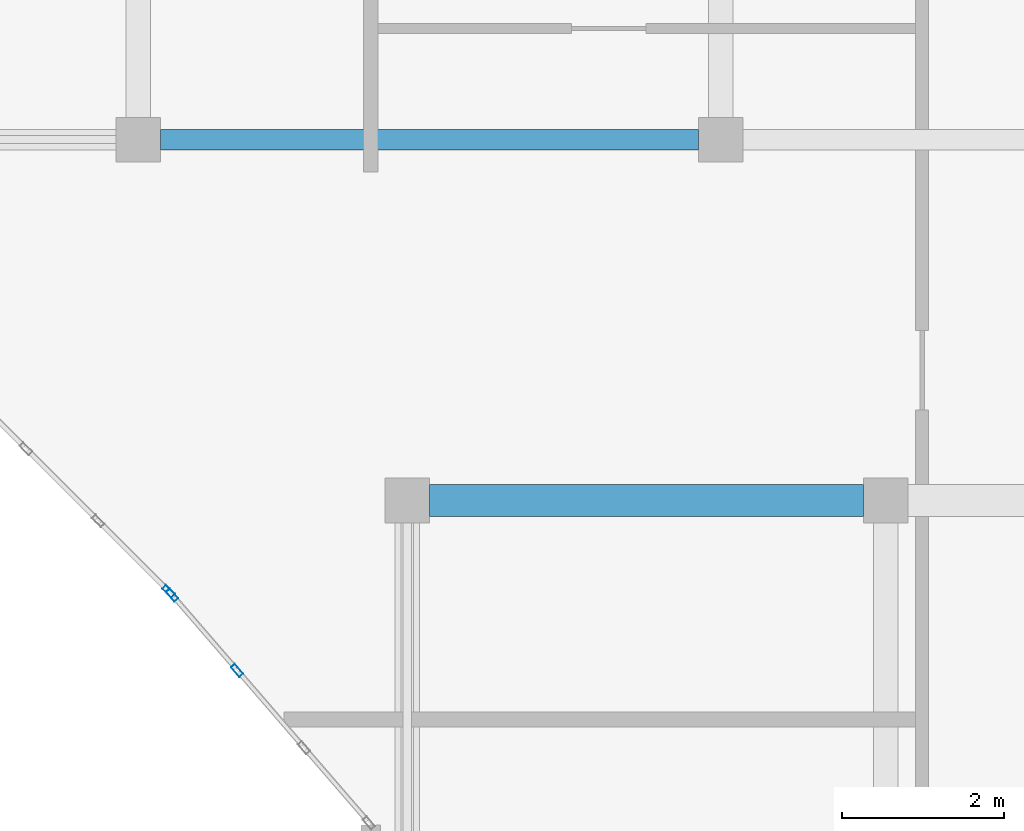
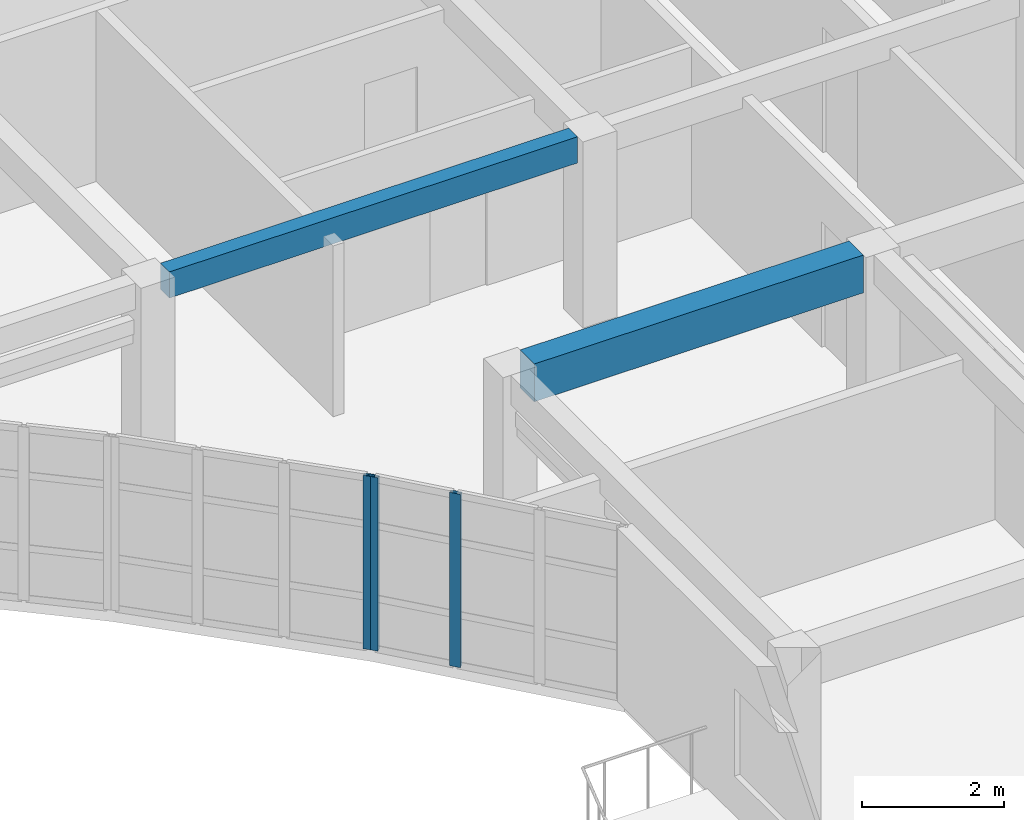
# One storey, part 13 of 68: 3 members, 2 beams, 2 elements without a shape of their own.
"""IFC4 building model written with IfcOpenShell, lengths in metres."""

from ifc_helpers import new_model, si_unit, direction, frame, origin, origin_2d, place, context, subcontext, project, spatial, rectangle, hollow_rectangle, extrude, material, layer, layer_set, material_profile, profile_set, type_object, element, aggregate, save


model = new_model("IFC4")

# Units and contexts
model_context = context("Model", 3, precision=1e-05, world=origin(), true_north=direction((0.0, 1.0)))
body_context = subcontext(model_context, "Body", "Model", "MODEL_VIEW")
ifc_project = project(units=[si_unit("LENGTHUNIT", "METRE"), si_unit("AREAUNIT", "SQUARE_METRE"), si_unit("VOLUMEUNIT", "CUBIC_METRE"), si_unit("PLANEANGLEUNIT", "RADIAN"), si_unit("MASSUNIT", "GRAM", prefix="KILO")], contexts=[model_context])

# Site, building, storey
site_placement = place(None, origin())
site = spatial("IfcSite", under=ifc_project, at=site_placement, CompositionType="ELEMENT")
building_placement = place(site_placement, origin())
building = spatial("IfcBuilding", under=site, at=building_placement, Name="Keldmere Railside Commons", CompositionType="ELEMENT")
storey_placement = place(building_placement, frame((0.0, 0.0, 23.360107421875)))
storey = spatial("IfcBuildingStorey", under=building, at=storey_placement, Name="L07", CompositionType="ELEMENT", Elevation=23.360107421875)

# Beams
ifc_material_1 = material(Name="Architectural Precast Concrete H-35 (C35/45)", Category="concrete")
ifc_material_profile_1 = material_profile(ifc_material_1, rectangle(XDim=0.25, YDim=0.449951171875, at=origin_2d()), Name="RC-250x450")
ifc_profile_set_1 = profile_set([ifc_material_profile_1], Name="Architectural Precast Concrete H-35 (C35/45)")
beam_type_1 = type_object("IfcBeamType", Name="Perimeter Precast Spandrel Beam 250x450", PredefinedType="SPANDREL", material=ifc_profile_set_1)
beam_1_placement = place(storey_placement, frame((101.407958984375, 100.449951171875, 2.974853515625), z_axis=(1.0, 0.0, 0.0), x_axis=(0.0, 1.0, 0.0)))
element("IfcBeam", 1, at=beam_1_placement, inside=storey, type_object=beam_type_1, Name="SPB-1 BM-L07-2059", PredefinedType="SPANDREL", context=body_context, shape_type="SweptSolid", body=[
    extrude(rectangle(XDim=0.25, YDim=0.449951171875, at=origin_2d()), origin(), (0.0, 0.0, 1.0), 6.634033203125),
])
ifc_material_2 = material(Name="Concrete H-30 (C30/37)", Category="concrete")
ifc_material_profile_2 = material_profile(ifc_material_2, rectangle(XDim=0.39990234375, YDim=0.64990234375, at=origin_2d()), Name="RC-400x650")
ifc_profile_set_2 = profile_set([ifc_material_profile_2], Name="Concrete H-30 (C30/37)")
beam_type_2 = type_object("IfcBeamType", Name="Residential Spine RC Girder 400x650", PredefinedType="BEAM", material=ifc_profile_set_2)
beam_2_placement = place(storey_placement, frame((104.72509765625, 96.0, 2.875), z_axis=(1.0, 0.0, 0.0), x_axis=(0.0, 1.0, 0.0)))
element("IfcBeam", 2, at=beam_2_placement, inside=storey, type_object=beam_type_2, Name="BG-3 BM-L07-2050", PredefinedType="BEAM", context=body_context, shape_type="SweptSolid", body=[
    extrude(rectangle(XDim=0.39990234375, YDim=0.64990234375, at=origin_2d()), origin(), (0.0, 0.0, 1.0), 5.349853515625),
])

# Curtain wall, member
ifc_material_3 = material(Name="Thermally Broken Aluminium", Category="aluminium")
ifc_layer_1 = layer(ifc_material_3, 0.159912109375, Name="Court Chord Wintergarden CW 5400x2850")
ifc_layer_set_1 = layer_set([ifc_layer_1], Name="Thermally Broken Aluminium")
curtain_wall_type_1 = type_object("IfcCurtainWallType", Name="Court Chord Wintergarden CW 5400x2850", PredefinedType="NOTDEFINED", material=ifc_layer_set_1)
curtain_wall_1_placement = place(storey_placement, origin())
curtain_wall_1 = element("IfcCurtainWall", 3, at=curtain_wall_1_placement, inside=storey, type_object=curtain_wall_type_1, Name="CW-13 CW-L07-131", PredefinedType="NOTDEFINED")
ifc_material_profile_3 = material_profile(ifc_material_3, hollow_rectangle(XDim=0.06494140625, YDim=0.159912109375, WallThickness=0.00390625, at=origin_2d()), Name="ALU-MULL-65x160")
ifc_profile_set_3 = profile_set([ifc_material_profile_3], Name="Thermally Broken Aluminium")
member_type = type_object("IfcMemberType", Name="Unitised Curtain Wall Mullion 65x160", PredefinedType="MULLION", material=ifc_profile_set_3)
member_1_placement = place(storey_placement, frame((101.507080078125, 94.880859375, 0.0), z_axis=(0.0, 0.0, 1.0), x_axis=(-0.707106781187, -0.707106781187, 0.0)))
member_1 = element("IfcMember", 4, at=member_1_placement, type_object=member_type, Name="CW-13 mullion 1", PredefinedType="MULLION", context=body_context, shape_type="SweptSolid", body=[
    extrude(hollow_rectangle(XDim=0.06494140625, YDim=0.159912109375, WallThickness=0.00390625, at=origin_2d()), origin(), (0.0, 0.0, 1.0), 2.97998046875),
])
aggregate(curtain_wall_1, [member_1])

# Curtain wall, members
ifc_layer_2 = layer(ifc_material_3, 0.159912109375, Name="Court Chord Wintergarden CW 4800x2850")
ifc_layer_set_2 = layer_set([ifc_layer_2], Name="Thermally Broken Aluminium")
curtain_wall_type_2 = type_object("IfcCurtainWallType", Name="Court Chord Wintergarden CW 4800x2850", PredefinedType="NOTDEFINED", material=ifc_layer_set_2)
curtain_wall_2_placement = place(storey_placement, origin())
curtain_wall_2 = element("IfcCurtainWall", 5, at=curtain_wall_2_placement, inside=storey, type_object=curtain_wall_type_2, Name="CW-12 CW-L07-132", PredefinedType="NOTDEFINED")
member_2_placement = place(storey_placement, frame((102.353271484375, 93.9052734375, 0.0), z_axis=(0.0, 0.0, 1.0), x_axis=(-0.756596767584, -0.653881741053, 0.0)))
member_2 = element("IfcMember", 6, at=member_2_placement, type_object=member_type, Name="CW-12 mullion 3", PredefinedType="MULLION", context=body_context, shape_type="SweptSolid", body=[
    extrude(hollow_rectangle(XDim=0.06494140625, YDim=0.159912109375, WallThickness=0.00390625, at=origin_2d()), origin(), (0.0, 0.0, 1.0), 2.97998046875),
])
member_3_placement = place(storey_placement, frame((101.55126953125, 94.83349609375, 0.0), z_axis=(0.0, 0.0, 1.0), x_axis=(-0.756596767584, -0.653881741053, 0.0)))
member_3 = element("IfcMember", 7, at=member_3_placement, type_object=member_type, Name="CW-12 mullion 4", PredefinedType="MULLION", context=body_context, shape_type="SweptSolid", body=[
    extrude(hollow_rectangle(XDim=0.06494140625, YDim=0.159912109375, WallThickness=0.00390625, at=origin_2d()), origin(), (0.0, 0.0, 1.0), 2.97998046875),
])
aggregate(curtain_wall_2, [member_2, member_3])

save(model, "model.ifc")
